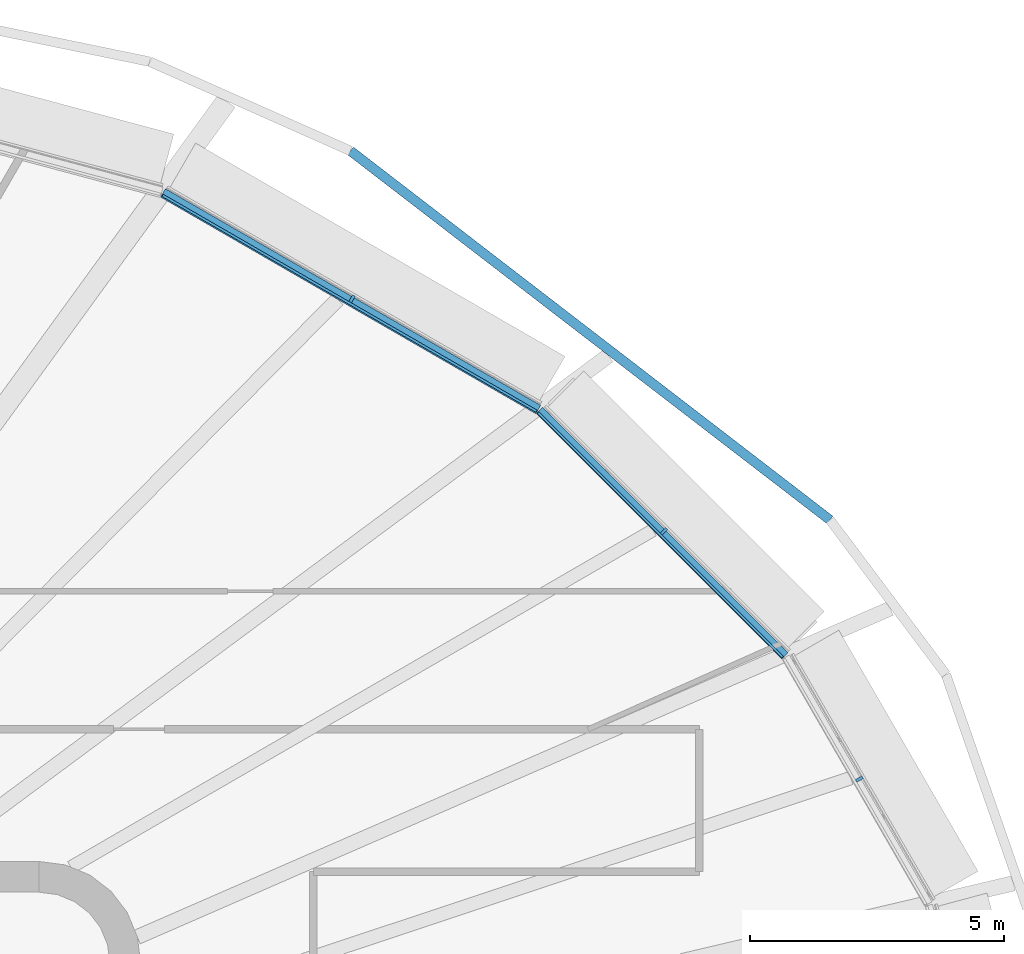
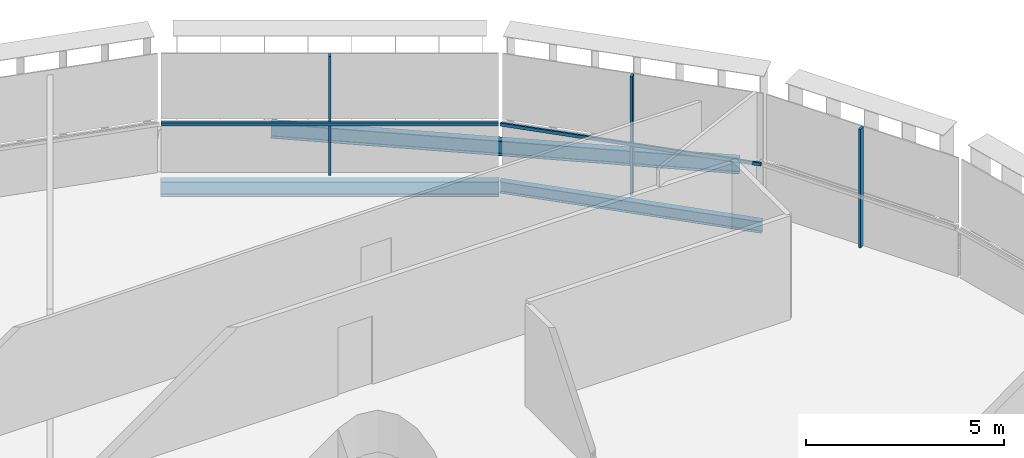
# One storey, part 10 of 25: 5 members, 3 beams, 3 elements without a shape of their own.
"""IFC4 building model written with IfcOpenShell, lengths in metres."""

from ifc_helpers import new_model, si_unit, direction, frame, origin, origin_2d, place, context, subcontext, project, spatial, rectangle, i_section, extrude, material, layer, layer_set, material_profile, profile_set, type_object, element, aggregate, save


model = new_model("IFC4")

# Units and contexts
model_context = context("Model", 3, precision=1e-05, world=origin(), true_north=direction((0.0, 1.0)))
body_context = subcontext(model_context, "Body", "Model", "MODEL_VIEW")
ifc_project = project(units=[si_unit("LENGTHUNIT", "METRE"), si_unit("AREAUNIT", "SQUARE_METRE"), si_unit("VOLUMEUNIT", "CUBIC_METRE"), si_unit("PLANEANGLEUNIT", "RADIAN"), si_unit("MASSUNIT", "GRAM", prefix="KILO")], contexts=[model_context])

# Site, building, storey
site_placement = place(None, origin())
site = spatial("IfcSite", under=ifc_project, at=site_placement, CompositionType="ELEMENT")
building_placement = place(site_placement, origin())
building = spatial("IfcBuilding", under=site, at=building_placement, Name="Sahrelin Media Tower", CompositionType="ELEMENT")
storey_placement = place(building_placement, frame((0.0, 0.0, 110.39990234375)))
storey = spatial("IfcBuildingStorey", under=building, at=storey_placement, Name="L21", CompositionType="ELEMENT", Elevation=110.39990234375)

# Beams
ifc_material_1 = material(Name="Steel S355", Category="steel")
ifc_material_profile_1 = material_profile(ifc_material_1, i_section(OverallWidth=0.17138671875, OverallDepth=0.35498046875, WebThickness=0.00732421875, FlangeThickness=0.011474609375, FilletRadius=0.01025390625, at=origin_2d()), Name="UB 356x171x51")
ifc_profile_set_1 = profile_set([ifc_material_profile_1], Name="Steel S355")
beam_type_1 = type_object("IfcBeamType", Name="Edge beam EB3", PredefinedType="BEAM", material=ifc_profile_set_1)
beam_1_placement = place(storey_placement, frame((22.849609375, 16.8798828125, -0.327392578125), z_axis=(0.707124646667, -0.707088915255, 0.0), x_axis=(0.707088915255, 0.707124646667, 0.0)))
element("IfcBeam", 1, at=beam_1_placement, inside=storey, type_object=beam_type_1, Name="Edge beam L21-22", PredefinedType="BEAM", context=body_context, shape_type="SweptSolid", body=[
    extrude(i_section(OverallWidth=0.17138671875, OverallDepth=0.35498046875, WebThickness=0.00732421875, FlangeThickness=0.011474609375, FilletRadius=0.01025390625, at=origin_2d()), origin(), (0.0, 0.0, 1.0), 6.832763671875),
])
ifc_material_profile_2 = material_profile(ifc_material_1, i_section(OverallWidth=0.1904296875, OverallDepth=0.45703125, WebThickness=0.009033203125, FlangeThickness=0.014404296875, FilletRadius=0.01025390625, at=origin_2d()), Name="UB 457x191x74")
ifc_profile_set_2 = profile_set([ifc_material_profile_2], Name="Steel S355")
beam_type_2 = type_object("IfcBeamType", Name="Edge beam EB5", PredefinedType="BEAM", material=ifc_profile_set_2)
beam_2_placement = place(storey_placement, frame((15.438232421875, 21.163330078125, -0.37841796875), z_axis=(0.866017364183, -0.500013924739, 0.0), x_axis=(0.500013924739, 0.866017364183, 0.0)))
element("IfcBeam", 2, at=beam_2_placement, inside=storey, type_object=beam_type_2, Name="Edge beam L21-21", PredefinedType="BEAM", context=body_context, shape_type="SweptSolid", body=[
    extrude(i_section(OverallWidth=0.1904296875, OverallDepth=0.45703125, WebThickness=0.009033203125, FlangeThickness=0.014404296875, FilletRadius=0.01025390625, at=origin_2d()), origin(), (0.0, 0.0, 1.0), 8.531494140625),
])

# Curtain wall, member
ifc_material_2 = material(Name="Champagne anodised aluminium 6063-T6", Category="aluminium")
ifc_layer = layer(ifc_material_2, 0.14990234375)
ifc_layer_set = layer_set([ifc_layer], Name="Tower ribbon curtain wall")
curtain_wall_type = type_object("IfcCurtainWallType", Name="Tower ribbon curtain wall", PredefinedType="NOTDEFINED", material=ifc_layer_set)
curtain_wall_1_placement = place(storey_placement, frame((29.231689453125, 9.67041015625, 0.0), z_axis=(0.0, 0.0, 1.0), x_axis=(1.0, 0.0, 0.0)))
curtain_wall_1 = element("IfcCurtainWall", 3, at=curtain_wall_1_placement, inside=storey, type_object=curtain_wall_type, Name="L21:CW:L21-02", PredefinedType="NOTDEFINED")
ifc_material_profile_3 = material_profile(ifc_material_2, rectangle(XDim=0.06005859375, YDim=0.14990234375, at=origin_2d()), Name="Mullion 60x150")
ifc_profile_set_3 = profile_set([ifc_material_profile_3], Name="Champagne anodised aluminium 6063-T6")
member_type_1 = type_object("IfcMemberType", Name="Mullion 60x150 CW1", PredefinedType="MULLION", material=ifc_profile_set_3)
member_1_placement = place(storey_placement, frame((29.1494140625, 9.622802734375, 0.0), z_axis=(0.0, 0.0, 1.0), x_axis=(-0.500004534492, 0.866022785779, 0.0)))
member_1 = element("IfcMember", 4, at=member_1_placement, type_object=member_type_1, Name="L21:CWM:L21-02", PredefinedType="MULLION", context=body_context, shape_type="SweptSolid", body=[
    extrude(rectangle(XDim=0.06005859375, YDim=0.14990234375, at=origin_2d()), origin(), (0.0, 0.0, 1.0), 3.648681640625),
])
aggregate(curtain_wall_1, [member_1])

curtain_wall_2_placement = place(storey_placement, frame((25.371337890625, 14.5703125, 0.0), z_axis=(0.0, 0.0, 1.0), x_axis=(1.0, 0.0, 0.0)))
curtain_wall_2 = element("IfcCurtainWall", 5, at=curtain_wall_2_placement, inside=storey, type_object=curtain_wall_type, Name="L21:CW:L21-03", PredefinedType="NOTDEFINED")
member_2_placement = place(storey_placement, frame((25.30419921875, 14.503173828125, 0.0), z_axis=(0.0, 0.0, 1.0), x_axis=(-0.707106781187, 0.707106781187, 0.0)))
member_2 = element("IfcMember", 6, at=member_2_placement, type_object=member_type_1, Name="L21:CWM:L21-03", PredefinedType="MULLION", context=body_context, shape_type="SweptSolid", body=[
    extrude(rectangle(XDim=0.06005859375, YDim=0.14990234375, at=origin_2d()), origin(), (0.0, 0.0, 1.0), 3.648681640625),
])

curtain_wall_3_placement = place(storey_placement, frame((19.20751953125, 19.160400390625, 0.0), z_axis=(0.0, 0.0, 1.0), x_axis=(1.0, 0.0, 0.0)))
curtain_wall_3 = element("IfcCurtainWall", 7, at=curtain_wall_3_placement, inside=storey, type_object=curtain_wall_type, Name="L21:CW:L21-04", PredefinedType="NOTDEFINED")
member_3_placement = place(storey_placement, frame((19.159912109375, 19.077880859375, 0.0), z_axis=(0.0, 0.0, 1.0), x_axis=(-0.866024531118, 0.500001511499, 0.0)))
member_3 = element("IfcMember", 8, at=member_3_placement, type_object=member_type_1, Name="L21:CWM:L21-04", PredefinedType="MULLION", context=body_context, shape_type="SweptSolid", body=[
    extrude(rectangle(XDim=0.06005859375, YDim=0.14990234375, at=origin_2d()), origin(), (0.0, 0.0, 1.0), 3.648681640625),
])

# Beam
ifc_material_profile_4 = material_profile(ifc_material_1, i_section(OverallWidth=0.1904296875, OverallDepth=0.45703125, WebThickness=0.009033203125, FlangeThickness=0.014404296875, FilletRadius=0.01025390625, at=origin_2d()), Name="UB 457x191x74")
ifc_profile_set_4 = profile_set([ifc_material_profile_4], Name="Steel S355")
beam_type_3 = type_object("IfcBeamType", Name="Tie chord TC5", PredefinedType="BEAM", material=ifc_profile_set_4)
beam_3_placement = place(storey_placement, frame((28.571044921875, 14.72412109375, -0.37841796875), z_axis=(-0.792450278181, 0.60993651851, 0.0), x_axis=(-0.60993651851, -0.792450278181, 0.0)))
element("IfcBeam", 9, at=beam_3_placement, inside=storey, type_object=beam_type_3, Name="Tie chord L21-03", PredefinedType="BEAM", context=body_context, shape_type="SweptSolid", body=[
    extrude(i_section(OverallWidth=0.1904296875, OverallDepth=0.45703125, WebThickness=0.009033203125, FlangeThickness=0.014404296875, FilletRadius=0.01025390625, at=origin_2d()), origin(), (0.0, 0.0, 1.0), 11.91455078125),
])

# Member
ifc_material_profile_5 = material_profile(ifc_material_2, rectangle(XDim=0.050048828125, YDim=0.10009765625, at=origin_2d()), Name="Transom 50x100")
ifc_profile_set_5 = profile_set([ifc_material_profile_5], Name="Champagne anodised aluminium 6063-T6")
member_type_2 = type_object("IfcMemberType", Name="Transom 50x100 CW1", PredefinedType="USERDEFINED", material=ifc_profile_set_5)
member_4_placement = place(storey_placement, frame((27.63818359375, 12.02783203125, 1.60009765625), z_axis=(-0.707106781187, 0.707106781187, 0.0), x_axis=(-0.707106781187, -0.707106781187, 0.0)))
member_4 = element("IfcMember", 10, at=member_4_placement, type_object=member_type_2, Name="L21:CWT:L21-03", ObjectType="TRANSOM", PredefinedType="USERDEFINED", context=body_context, shape_type="SweptSolid", body=[
    extrude(rectangle(XDim=0.050048828125, YDim=0.10009765625, at=origin_2d()), origin(), (0.0, 0.0, 1.0), 6.801513671875),
])

aggregate(curtain_wall_2, [member_2, member_4])

member_5_placement = place(storey_placement, frame((22.79052734375, 16.866455078125, 1.60009765625), z_axis=(-0.866021522889, 0.500006721848, 0.0), x_axis=(-0.500006721848, -0.866021522889, 0.0)))
member_5 = element("IfcMember", 11, at=member_5_placement, type_object=member_type_2, Name="L21:CWT:L21-04", ObjectType="TRANSOM", PredefinedType="USERDEFINED", context=body_context, shape_type="SweptSolid", body=[
    extrude(rectangle(XDim=0.050048828125, YDim=0.10009765625, at=origin_2d()), origin(), (0.0, 0.0, 1.0), 8.5),
])

aggregate(curtain_wall_3, [member_3, member_5])

save(model, "model.ifc")
